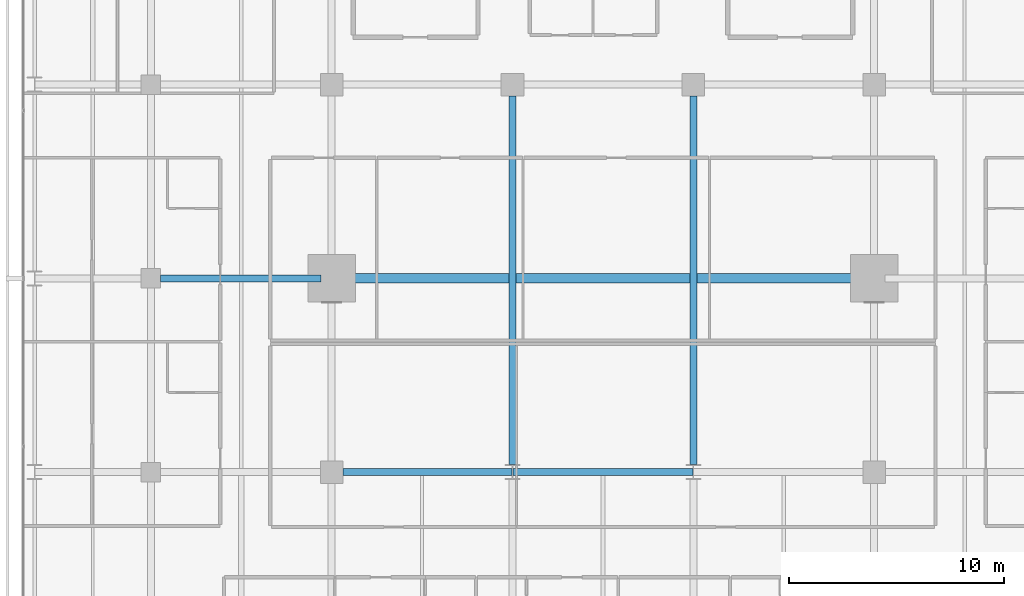
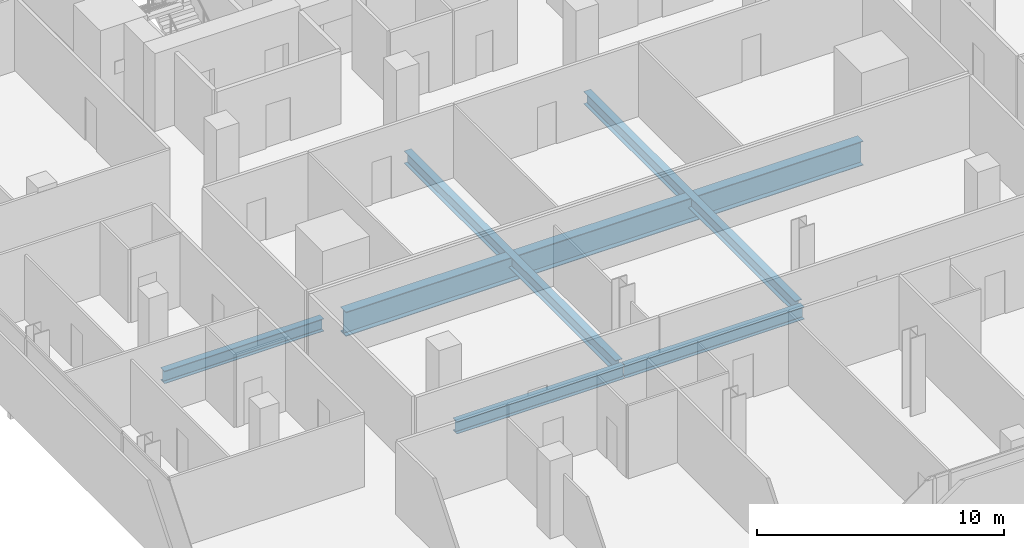
# One storey, part 13 of 40: 6 beams.
"""IFC4 building model written with IfcOpenShell, lengths in metres."""

from ifc_helpers import new_model, si_unit, direction, frame, origin, origin_2d, place, context, subcontext, project, spatial, i_section, extrude, material, material_profile, profile_set, type_object, element, save


model = new_model("IFC4")

# Units and contexts
model_context = context("Model", 3, precision=1e-05, world=origin(), true_north=direction((0.0, 1.0)))
body_context = subcontext(model_context, "Body", "Model", "MODEL_VIEW")
ifc_project = project(units=[si_unit("LENGTHUNIT", "METRE"), si_unit("AREAUNIT", "SQUARE_METRE"), si_unit("VOLUMEUNIT", "CUBIC_METRE"), si_unit("PLANEANGLEUNIT", "RADIAN"), si_unit("MASSUNIT", "GRAM", prefix="KILO")], contexts=[model_context])

# Site, building, storey
site_placement = place(None, origin())
site = spatial("IfcSite", under=ifc_project, at=site_placement, CompositionType="ELEMENT")
building_placement = place(site_placement, origin())
building = spatial("IfcBuilding", under=site, at=building_placement, Name="Maruvema Waterfront Hotel and Observation Tower", CompositionType="ELEMENT")
storey_placement = place(building_placement, frame((0.0, 0.0, 73.14990234375)))
storey = spatial("IfcBuildingStorey", under=building, at=storey_placement, Name="L17", CompositionType="ELEMENT", Elevation=73.14990234375)

# Beams
ifc_material_1 = material(Name="Steel ASTM A572 Grade 50", Category="steel")
ifc_material_profile_1 = material_profile(ifc_material_1, i_section(OverallWidth=0.326904296875, OverallDepth=0.6220703125, WebThickness=0.015380859375, FlangeThickness=0.0244140625, FilletRadius=0.01806640625, at=origin_2d()), Name="W610x195.0")
ifc_profile_set_1 = profile_set([ifc_material_profile_1], Name="Steel ASTM A572 Grade 50")
beam_type_1 = type_object("IfcBeamType", Name="Primary Floor Girder W610x195.0", PredefinedType="BEAM", material=ifc_profile_set_1)
beam_1_placement = place(storey_placement, frame((25.72509765625, 18.0, -0.55078125), z_axis=(1.0, 0.0, 0.0), x_axis=(0.0, 1.0, 0.0)))
element("IfcBeam", 1, at=beam_1_placement, inside=storey, type_object=beam_type_1, Name="L17 Floor Girder EW-15", PredefinedType="BEAM", context=body_context, shape_type="SweptSolid", body=[
    extrude(i_section(OverallWidth=0.326904296875, OverallDepth=0.6220703125, WebThickness=0.015380859375, FlangeThickness=0.0244140625, FilletRadius=0.01806640625, at=origin_2d()), origin(), (0.0, 0.0, 1.0), 7.86083984375),
])
beam_2_placement = place(storey_placement, frame((33.614013671875, 18.0, -0.55078125), z_axis=(1.0, 0.0, 0.0), x_axis=(0.0, 1.0, 0.0)))
element("IfcBeam", 2, at=beam_2_placement, inside=storey, type_object=beam_type_1, Name="L17 Floor Girder EW-16", PredefinedType="BEAM", context=body_context, shape_type="SweptSolid", body=[
    extrude(i_section(OverallWidth=0.326904296875, OverallDepth=0.6220703125, WebThickness=0.015380859375, FlangeThickness=0.0244140625, FilletRadius=0.01806640625, at=origin_2d()), origin(), (0.0, 0.0, 1.0), 8.3720703125),
])
beam_3_placement = place(storey_placement, frame((17.25, 27.0, -0.55078125), z_axis=(1.0, 0.0, 0.0), x_axis=(0.0, 1.0, 0.0)))
element("IfcBeam", 3, at=beam_3_placement, inside=storey, type_object=beam_type_1, Name="L17 Floor Girder EW-21", PredefinedType="BEAM", context=body_context, shape_type="SweptSolid", body=[
    extrude(i_section(OverallWidth=0.326904296875, OverallDepth=0.6220703125, WebThickness=0.015380859375, FlangeThickness=0.0244140625, FilletRadius=0.01806640625, at=origin_2d()), origin(), (0.0, 0.0, 1.0), 7.449951171875),
])
for number, where, z_axis, x_axis, name in (
    (4, (33.60009765625, 18.35009765625, -0.55078125), (0.0, 1.0, 0.0), (-1.0, 0.0, 0.0), "L17 Floor Girder NS-18"),
    (5, (42.0, 18.35009765625, -0.55078125), (0.0, 1.0, 0.0), (-1.0, 0.0, 0.0), "L17 Floor Girder NS-21"),
):
    element("IfcBeam", number, at=place(storey_placement, frame(where, z_axis=z_axis, x_axis=x_axis)), inside=storey, type_object=beam_type_1, Name=name, PredefinedType="BEAM", context=body_context, shape_type="SweptSolid", body=[
        extrude(i_section(OverallWidth=0.326904296875, OverallDepth=0.6220703125, WebThickness=0.015380859375, FlangeThickness=0.0244140625, FilletRadius=0.01806640625, at=origin_2d()), origin(), (0.0, 0.0, 1.0), 17.125),
    ])
ifc_material_2 = material(Name="Steel ABNT NBR 7007 AR 415 (ASTM A572 Grade 50)", Category="steel")
ifc_material_profile_2 = material_profile(ifc_material_2, i_section(OverallWidth=0.449951171875, OverallDepth=1.199951171875, WebThickness=0.01904296875, FlangeThickness=0.031982421875, at=origin_2d()), Name="VS1200x366")
ifc_profile_set_2 = profile_set([ifc_material_profile_2], Name="Steel ABNT NBR 7007 AR 415 (ASTM A572 Grade 50)")
beam_type_2 = type_object("IfcBeamType", Name="Upper Setback Transfer Girder VS1200x366", PredefinedType="USERDEFINED", material=ifc_profile_set_2)
beam_4_placement = place(storey_placement, frame((25.699951171875, 27.0, -0.83984375), z_axis=(1.0, 0.0, 0.0), x_axis=(0.0, 1.0, 0.0)))
element("IfcBeam", 6, at=beam_4_placement, inside=storey, type_object=beam_type_2, Name="L17 Floor Girder EW-22", ObjectType="TRANSFER GIRDER", PredefinedType="USERDEFINED", context=body_context, shape_type="SweptSolid", body=[
    extrude(i_section(OverallWidth=0.449951171875, OverallDepth=1.199951171875, WebThickness=0.01904296875, FlangeThickness=0.031982421875, at=origin_2d()), origin(), (0.0, 0.0, 1.0), 24.199951171875),
])

save(model, "model.ifc")
